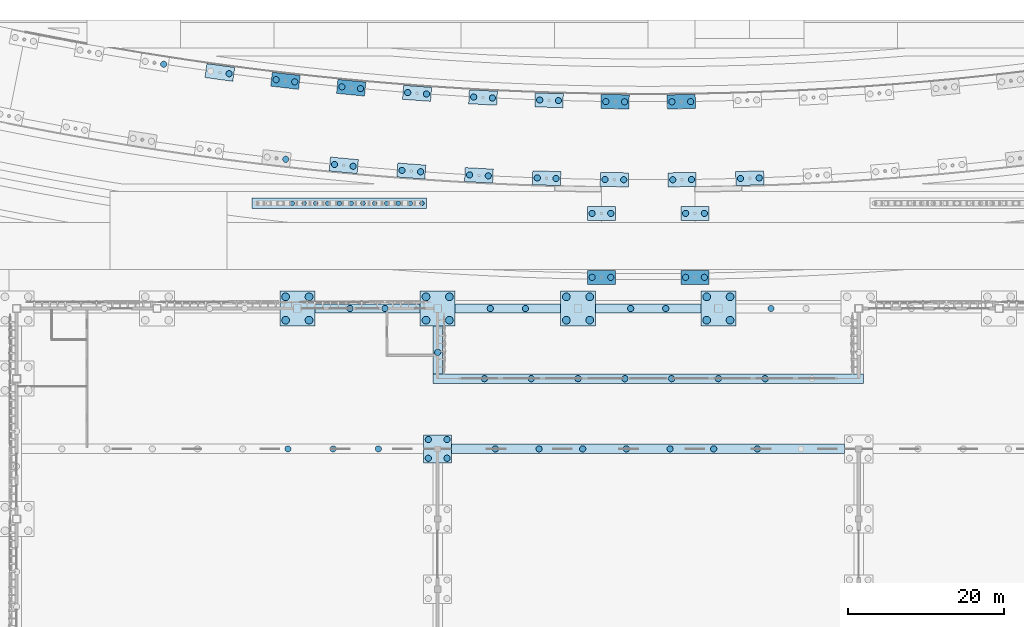
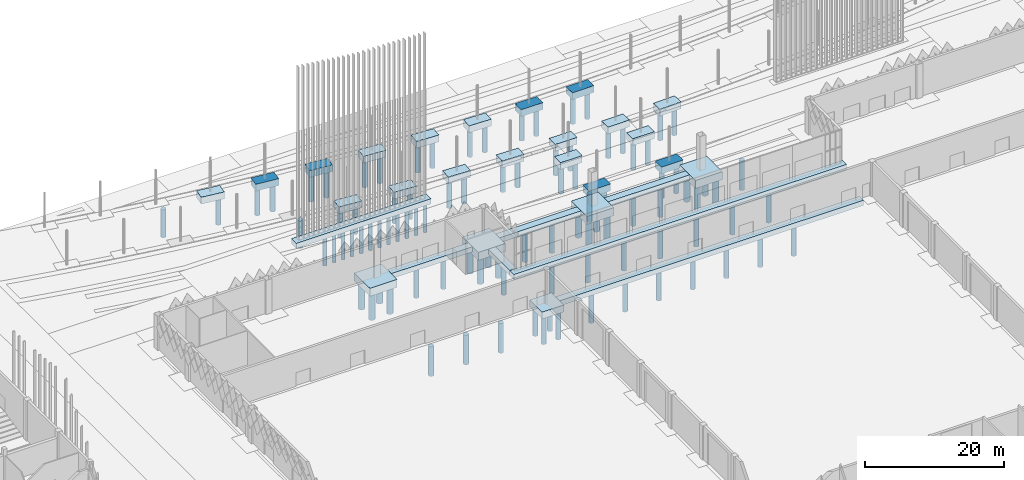
# One storey, part 11 of 198: 96 piles, 31 footings.
"""IFC4 building model written with IfcOpenShell, lengths in metres."""

import ifcopenshell
import ifcopenshell.guid

model = None  # the IFC model being written
_history = None  # IfcOwnerHistory: only IFC2X3 demands one
_inside = {}  # id of a spatial element -> (the spatial element, [elements in it])
_under = {}  # id of a project, library or spatial element -> (it, [spatial elements below it])
_declared = {}  # id of a project -> (the project, [libraries it declares])
_typed = {}  # id of a type object -> (the type object, [elements of that type])
_made_of = {}  # id of a material, layer set ... -> (it, [elements and type objects made of it])


def new_model(schema):
    """Start an empty IFC model of exactly this schema.

    Asked for "IFC4X3", IfcOpenShell would pick the latest addendum, in which some entities
    have other attributes; the version numbers below select the first issue.
    IFC2X3 requires an IfcOwnerHistory on every rooted entity: one is made here for all.
    """
    global model, _history
    if schema == "IFC4X3":
        model = ifcopenshell.file(schema_version=(4, 3, 0, 0))
    else:
        model = ifcopenshell.file(schema=schema)
    _inside.clear()
    _under.clear()
    _declared.clear()
    _typed.clear()
    _made_of.clear()
    _history = None
    if model.schema == "IFC2X3":
        org = make("IfcOrganization", Name="unknown")
        user = make(
            "IfcPersonAndOrganization",
            ThePerson=make("IfcPerson", FamilyName="unknown"),
            TheOrganization=org,
        )
        app = make(
            "IfcApplication",
            ApplicationDeveloper=org,
            Version="unknown",
            ApplicationFullName="unknown",
            ApplicationIdentifier="unknown",
        )
        _history = make(
            "IfcOwnerHistory",
            OwningUser=user,
            OwningApplication=app,
            ChangeAction="ADDED",
            CreationDate=0,
        )
    return model


def make(cls, **values):
    """One entity of the class cls with the attributes given. An attribute that is None is left unset."""
    return model.create_entity(
        cls, **{name: value for name, value in values.items() if value is not None}
    )


def rooted(cls, **values):
    """An entity with a GlobalId (a new one), such as an element, a storey or a relation."""
    return make(cls, GlobalId=ifcopenshell.guid.new(), OwnerHistory=_history, **values)


def si_unit(unit_type, name, prefix=None):
    """IfcSIUnit, for example si_unit("LENGTHUNIT", "METRE", prefix="MILLI")."""
    return make("IfcSIUnit", UnitType=unit_type, Prefix=prefix, Name=name)


def assignment(units):
    """IfcUnitAssignment: the units of a project."""
    return None if units is None else make("IfcUnitAssignment", Units=units)


def point(xyz):
    """IfcCartesianPoint."""
    return None if xyz is None else make("IfcCartesianPoint", Coordinates=xyz)


def direction(xyz):
    """IfcDirection."""
    return None if xyz is None else make("IfcDirection", DirectionRatios=xyz)


def frame(location, z_axis=None, x_axis=None):
    """IfcAxis2Placement3D, a coordinate frame: its origin and axes. An axis left out is left unset."""
    return make(
        "IfcAxis2Placement3D",
        Location=point(location),
        Axis=direction(z_axis),
        RefDirection=direction(x_axis),
    )


def frame_2d(location, x_axis=None):
    """IfcAxis2Placement2D, a coordinate frame in the plane: its origin and x axis."""
    return make(
        "IfcAxis2Placement2D", Location=point(location), RefDirection=direction(x_axis)
    )


def origin():
    """The frame at (0, 0, 0) with its axes left unset."""
    return frame((0.0, 0.0, 0.0))


def origin_2d():
    """The frame at (0, 0) in the plane with its x axis left unset."""
    return frame_2d((0.0, 0.0))


def place(relative_to, where):
    """IfcLocalPlacement: puts the frame where relative to a parent placement (None: the world)."""
    return make(
        "IfcLocalPlacement", PlacementRelTo=relative_to, RelativePlacement=where
    )


def context(
    kind, dimensions, precision=None, world=None, true_north=None, identifier=None
):
    """IfcGeometricRepresentationContext, for example the 3D "Model" context."""
    return make(
        "IfcGeometricRepresentationContext",
        ContextIdentifier=identifier,
        ContextType=kind,
        CoordinateSpaceDimension=dimensions,
        Precision=precision,
        WorldCoordinateSystem=world,
        TrueNorth=true_north,
    )


def subcontext(parent, identifier, kind, view, scale=None):
    """IfcGeometricRepresentationSubContext, for example "Body" below "Model"."""
    return make(
        "IfcGeometricRepresentationSubContext",
        ContextIdentifier=identifier,
        ContextType=kind,
        ParentContext=parent,
        TargetScale=scale,
        TargetView=view,
    )


def project(units=None, contexts=None):
    """IfcProject with its units and contexts."""
    return rooted(
        "IfcProject",
        Name="project",
        RepresentationContexts=contexts,
        UnitsInContext=assignment(units),
    )


def spatial(cls, under=None, at=None, **own):
    """A site, building, storey or space (cls), placed at a placement, below another one or the project."""
    s = rooted(cls, ObjectPlacement=at, **own)
    if under is not None:
        _under.setdefault(under.id(), (under, []))[1].append(s)
    return s


def polyline(points):
    """IfcPolyline through the points."""
    return make("IfcPolyline", Points=[point(p) for p in points])


def profile(cls, at=None, kind="AREA", **sizes):
    """A parametric profile (cls). Its sizes go by their IFC names, for example OverallWidth=200.0."""
    return make(cls, ProfileType=kind, Position=at, **sizes)


def circle(**sizes):
    """IfcCircleProfileDef."""
    return profile("IfcCircleProfileDef", **sizes)


def outline(outer, holes=None, kind="AREA"):
    """IfcArbitraryClosedProfileDef: a profile drawn as a closed curve; with holes, ...WithVoids."""
    if holes is None:
        return make("IfcArbitraryClosedProfileDef", ProfileType=kind, OuterCurve=outer)
    return make(
        "IfcArbitraryProfileDefWithVoids",
        ProfileType=kind,
        OuterCurve=outer,
        InnerCurves=holes,
    )


def extrude(swept, where, along, depth):
    """IfcExtrudedAreaSolid: the profile swept, set in the frame where, extruded along a direction by depth."""
    return make(
        "IfcExtrudedAreaSolid",
        SweptArea=swept,
        Position=where,
        ExtrudedDirection=direction(along),
        Depth=depth,
    )


def shape(context_of_items, identifier, shape_type, items):
    """IfcShapeRepresentation: the items that make up one representation, for example the "Body"."""
    return make(
        "IfcShapeRepresentation",
        ContextOfItems=context_of_items,
        RepresentationIdentifier=identifier,
        RepresentationType=shape_type,
        Items=items,
    )


def material(Name=None, Category=None):
    """IfcMaterial."""
    return make("IfcMaterial", Name=Name, Category=Category)


def layer(
    of_material, thickness, ventilated=None, Name=None, Category=None, Priority=None
):
    """IfcMaterialLayer: one layer of a wall or slab, of a material (None: an air gap)."""
    return make(
        "IfcMaterialLayer",
        Material=of_material,
        LayerThickness=thickness,
        IsVentilated=ventilated,
        Name=Name,
        Category=Category,
        Priority=Priority,
    )


def layer_set(layers, Name=None):
    """IfcMaterialLayerSet."""
    return make("IfcMaterialLayerSet", MaterialLayers=layers, LayerSetName=Name)


def material_profile(
    of_material, cross_section, Name=None, Category=None, Priority=None
):
    """IfcMaterialProfile: a cross section and its material."""
    return make(
        "IfcMaterialProfile",
        Name=Name,
        Material=of_material,
        Profile=cross_section,
        Priority=Priority,
        Category=Category,
    )


def profile_set(profiles, Name=None, composite=None):
    """IfcMaterialProfileSet."""
    return make(
        "IfcMaterialProfileSet",
        Name=Name,
        MaterialProfiles=profiles,
        CompositeProfile=composite,
    )


def made_of(thing, what):
    """Note that an element or type object is made of a material, layer set ...; save() writes the relation."""
    if what is not None:
        _made_of.setdefault(what.id(), (what, []))[1].append(thing)
    return thing


def type_object(cls, material=None, **own):
    """A type object (cls), such as IfcWallType, which elements share."""
    return made_of(rooted(cls, **own), material)


def element(
    cls,
    number,
    at=None,
    inside=None,
    cuts=None,
    type_object=None,
    material=None,
    context=None,
    identifier="Body",
    shape_type=None,
    held_by="IfcProductDefinitionShape",
    body=None,
    shapes=None,
    **own,
):
    """One element of the class cls, such as IfcWall. Its Tag is "e" and its number.

    at: its placement. inside: the storey or other place that contains it. cuts: it is an
    opening in that element (IfcRelVoidsElement). A single representation is given by context,
    identifier, shape_type and body (its items); several are given by shapes. held_by: the class
    of the entity that holds the representations. save() writes the other relations.
    """
    e = rooted(cls, Tag="e%d" % number, ObjectPlacement=at, **own)
    if body is not None:
        shapes = [shape(context, identifier, shape_type, body)]
    if shapes is not None:
        e.Representation = make(held_by, Representations=shapes)
    if inside is not None:
        _inside.setdefault(inside.id(), (inside, []))[1].append(e)
    if cuts is not None:
        rooted(
            "IfcRelVoidsElement", RelatingBuildingElement=cuts, RelatedOpeningElement=e
        )
    if type_object is not None:
        _typed.setdefault(type_object.id(), (type_object, []))[1].append(e)
    return made_of(e, material)


def aggregate(whole, parts):
    """IfcRelAggregates: a whole, such as a stair, and the parts it consists of."""
    return rooted("IfcRelAggregates", RelatingObject=whole, RelatedObjects=parts)


def save(model, path):
    """Write the relations noted so far, then the file.

    IfcRelAggregates (storeys below a building ...), IfcRelContainedInSpatialStructure (elements
    in a storey), IfcRelDefinesByType, IfcRelAssociatesMaterial and IfcRelDeclares: one each for
    every whole, place, type object, material and project.
    """
    for whole, parts in _under.values():
        aggregate(whole, parts)
    for where, things in _inside.values():
        rooted(
            "IfcRelContainedInSpatialStructure",
            RelatedElements=things,
            RelatingStructure=where,
        )
    for kind, things in _typed.values():
        rooted("IfcRelDefinesByType", RelatedObjects=things, RelatingType=kind)
    for what, things in _made_of.values():
        rooted("IfcRelAssociatesMaterial", RelatedObjects=things, RelatingMaterial=what)
    for by, libraries in _declared.values():
        rooted("IfcRelDeclares", RelatingContext=by, RelatedDefinitions=libraries)
    model.write(path)


model = new_model("IFC4")

# Units and contexts
model_context = context("Model", 3, precision=1e-05, world=origin(), true_north=direction((0.0, 1.0)))
body_context = subcontext(model_context, "Body", "Model", "MODEL_VIEW")
ifc_project = project(units=[si_unit("LENGTHUNIT", "METRE"), si_unit("AREAUNIT", "SQUARE_METRE"), si_unit("VOLUMEUNIT", "CUBIC_METRE"), si_unit("PLANEANGLEUNIT", "RADIAN"), si_unit("MASSUNIT", "GRAM", prefix="KILO")], contexts=[model_context])

# Site, building, storey
site_placement = place(None, origin())
site = spatial("IfcSite", under=ifc_project, at=site_placement, CompositionType="ELEMENT")
building_placement = place(site_placement, origin())
building = spatial("IfcBuilding", under=site, at=building_placement, Name="Opaline Strait Convention Centre", CompositionType="ELEMENT")
storey_placement = place(building_placement, origin())
storey = spatial("IfcBuildingStorey", under=building, at=storey_placement, Name="L00", CompositionType="ELEMENT", Elevation=0.0)

# Piles
ifc_material_1 = material(Name="Concrete C35", Category="concrete")
ifc_material_profile_1 = material_profile(ifc_material_1, circle(Radius=0.5, at=origin_2d()), Name="D1000")
ifc_profile_set_1 = profile_set([ifc_material_profile_1], Name="Concrete C35")
pile_type_1 = type_object("IfcPileType", Name="Bored pile D1000 C35", PredefinedType="BORED", material=ifc_profile_set_1)
for number, where, z_axis, x_axis, name in (
    (1, (133.5, 151.5, -1.300048828125), (0.0, 0.0, -1.0), (1.0, 0.0, 0.0), "Bored pile of cap 135/153"),
    (2, (133.5, 154.5, -1.300048828125), (0.0, 0.0, -1.0), (1.0, 0.0, 0.0), "Bored pile of cap 135/153"),
    (3, (136.5, 151.5, -1.300048828125), (0.0, 0.0, -1.0), (1.0, 0.0, 0.0), "Bored pile of cap 135/153"),
    (4, (136.5, 154.5, -1.300048828125), (0.0, 0.0, -1.0), (1.0, 0.0, 0.0), "Bored pile of cap 135/153"),
    (5, (151.5, 151.5, -1.300048828125), (0.0, 0.0, -1.0), (1.0, 0.0, 0.0), "Bored pile of cap 153/153"),
    (6, (151.5, 154.5, -1.300048828125), (0.0, 0.0, -1.0), (1.0, 0.0, 0.0), "Bored pile of cap 153/153"),
    (7, (154.5, 151.5, -1.300048828125), (0.0, 0.0, -1.0), (1.0, 0.0, 0.0), "Bored pile of cap 153/153"),
    (8, (154.5, 154.5, -1.300048828125), (0.0, 0.0, -1.0), (1.0, 0.0, 0.0), "Bored pile of cap 153/153"),
    (9, (169.5, 151.5, -1.300048828125), (0.0, 0.0, -1.0), (1.0, 0.0, 0.0), "Bored pile of cap 171/153"),
    (10, (169.5, 154.5, -1.300048828125), (0.0, 0.0, -1.0), (1.0, 0.0, 0.0), "Bored pile of cap 171/153"),
    (11, (172.5, 151.5, -1.300048828125), (0.0, 0.0, -1.0), (1.0, 0.0, 0.0), "Bored pile of cap 171/153"),
    (12, (172.5, 154.5, -1.300048828125), (0.0, 0.0, -1.0), (1.0, 0.0, 0.0), "Bored pile of cap 171/153"),
    (13, (187.5, 151.5, -1.300048828125), (0.0, 0.0, -1.0), (1.0, 0.0, 0.0), "Bored pile of cap 189/153"),
    (14, (187.5, 154.5, -1.300048828125), (0.0, 0.0, -1.0), (1.0, 0.0, 0.0), "Bored pile of cap 189/153"),
    (15, (190.5, 151.5, -1.300048828125), (0.0, 0.0, -1.0), (1.0, 0.0, 0.0), "Bored pile of cap 189/153"),
    (16, (190.5, 154.5, -1.300048828125), (0.0, 0.0, -1.0), (1.0, 0.0, 0.0), "Bored pile of cap 189/153"),
):
    element("IfcPile", number, at=place(storey_placement, frame(where, z_axis=z_axis, x_axis=x_axis)), inside=storey, type_object=pile_type_1, Name=name, PredefinedType="BORED", context=body_context, shape_type="SweptSolid", body=[
        extrude(circle(Radius=0.5, at=origin_2d()), origin(), (0.0, 0.0, 1.0), 4.699951171875),
    ])
ifc_material_profile_2 = material_profile(ifc_material_1, circle(Radius=0.300048828125, at=origin_2d()), Name="D600")
ifc_profile_set_2 = profile_set([ifc_material_profile_2], Name="Concrete C35")
pile_type_2 = type_object("IfcPileType", Name="Bored pile D600 L5.2 Concrete C35", PredefinedType="BORED", material=ifc_profile_set_2)
for number, where, z_axis, x_axis, name in (
    (17, (134.354248046875, 166.5, -0.800048828125), (0.0, 0.0, -1.0), (1.0, 0.0, 0.0), "Portal pile 4 of cap W"),
    (18, (135.86572265625, 166.5, -0.800048828125), (0.0, 0.0, -1.0), (1.0, 0.0, 0.0), "Portal pile 5 of cap W"),
    (19, (137.377197265625, 166.5, -0.800048828125), (0.0, 0.0, -1.0), (1.0, 0.0, 0.0), "Portal pile 6 of cap W"),
    (20, (138.888671875, 166.5, -0.800048828125), (0.0, 0.0, -1.0), (1.0, 0.0, 0.0), "Portal pile 7 of cap W"),
    (21, (140.39990234375, 166.5, -0.800048828125), (0.0, 0.0, -1.0), (1.0, 0.0, 0.0), "Portal pile 8 of cap W"),
    (22, (141.911376953125, 166.5, -0.800048828125), (0.0, 0.0, -1.0), (1.0, 0.0, 0.0), "Portal pile 9 of cap W"),
    (23, (143.4228515625, 166.5, -0.800048828125), (0.0, 0.0, -1.0), (1.0, 0.0, 0.0), "Portal pile 10 of cap W"),
    (24, (144.934326171875, 166.5, -0.800048828125), (0.0, 0.0, -1.0), (1.0, 0.0, 0.0), "Portal pile 11 of cap W"),
    (25, (146.44580078125, 166.5, -0.800048828125), (0.0, 0.0, -1.0), (1.0, 0.0, 0.0), "Portal pile 12 of cap W"),
    (26, (147.95703125, 166.5, -0.800048828125), (0.0, 0.0, -1.0), (1.0, 0.0, 0.0), "Portal pile 13 of cap W"),
    (27, (149.468505859375, 166.5, -0.800048828125), (0.0, 0.0, -1.0), (1.0, 0.0, 0.0), "Portal pile 14 of cap W"),
    (28, (150.97998046875, 166.5, -0.800048828125), (0.0, 0.0, -1.0), (1.0, 0.0, 0.0), "Portal pile 15 of cap W"),
):
    element("IfcPile", number, at=place(storey_placement, frame(where, z_axis=z_axis, x_axis=x_axis)), inside=storey, type_object=pile_type_2, Name=name, PredefinedType="BORED", context=body_context, shape_type="SweptSolid", body=[
        extrude(circle(Radius=0.300048828125, at=origin_2d()), origin(), (0.0, 0.0, 1.0), 5.199951171875),
    ])
ifc_material_profile_3 = material_profile(ifc_material_1, circle(Radius=0.39990234375, at=origin_2d()), Name="D800")
ifc_profile_set_3 = profile_set([ifc_material_profile_3], Name="Concrete C35")
pile_type_3 = type_object("IfcPileType", Name="Bored pile D800 C35", PredefinedType="BORED", material=ifc_profile_set_3)
for number, where, z_axis, x_axis, name in (
    (29, (151.800048828125, 133.800048828125, -1.10009765625), (0.0, 0.0, -1.0), (1.0, 0.0, 0.0), "Bored pile of cap 153/135"),
    (30, (151.800048828125, 136.199951171875, -1.10009765625), (0.0, 0.0, -1.0), (1.0, 0.0, 0.0), "Bored pile of cap 153/135"),
    (31, (154.199951171875, 133.800048828125, -1.10009765625), (0.0, 0.0, -1.0), (1.0, 0.0, 0.0), "Bored pile of cap 153/135"),
    (32, (154.199951171875, 136.199951171875, -1.10009765625), (0.0, 0.0, -1.0), (1.0, 0.0, 0.0), "Bored pile of cap 153/135"),
):
    element("IfcPile", number, at=place(storey_placement, frame(where, z_axis=z_axis, x_axis=x_axis)), inside=storey, type_object=pile_type_3, Name=name, PredefinedType="BORED", context=body_context, shape_type="SweptSolid", body=[
        extrude(circle(Radius=0.39990234375, at=origin_2d()), origin(), (0.0, 0.0, 1.0), 4.89990234375),
    ])
for number, where, z_axis, x_axis, name in (
    (33, (141.75, 153.0, -0.800048828125), (0.0, 0.0, -1.0), (1.0, 0.0, 0.0), "Bored pile under pile cap beam 18"),
    (34, (146.25, 153.0, -0.800048828125), (0.0, 0.0, -1.0), (1.0, 0.0, 0.0), "Bored pile under pile cap beam 18"),
    (35, (159.75, 153.0, -0.800048828125), (0.0, 0.0, -1.0), (1.0, 0.0, 0.0), "Bored pile under pile cap beam 19"),
    (36, (164.25, 153.0, -0.800048828125), (0.0, 0.0, -1.0), (1.0, 0.0, 0.0), "Bored pile under pile cap beam 19"),
    (37, (177.75, 153.0, -0.800048828125), (0.0, 0.0, -1.0), (1.0, 0.0, 0.0), "Bored pile under pile cap beam 20"),
    (38, (182.25, 153.0, -0.800048828125), (0.0, 0.0, -1.0), (1.0, 0.0, 0.0), "Bored pile under pile cap beam 20"),
    (39, (195.75, 153.0, -0.800048828125), (0.0, 0.0, -1.0), (1.0, 0.0, 0.0), "Bored pile under pile cap beam 21"),
    (40, (133.800048828125, 135.0, -0.800048828125), (0.0, 0.0, -1.0), (1.0, 0.0, 0.0), "Bored pile under pile cap beam 65"),
    (41, (139.60009765625, 135.0, -0.800048828125), (0.0, 0.0, -1.0), (1.0, 0.0, 0.0), "Bored pile under pile cap beam 65"),
    (42, (145.39990234375, 135.0, -0.800048828125), (0.0, 0.0, -1.0), (1.0, 0.0, 0.0), "Bored pile under pile cap beam 65"),
    (43, (160.39990234375, 135.0, -0.800048828125), (0.0, 0.0, -1.0), (1.0, 0.0, 0.0), "Bored pile under pile cap beam 66"),
    (44, (166.0, 135.0, -0.800048828125), (0.0, 0.0, -1.0), (1.0, 0.0, 0.0), "Bored pile under pile cap beam 66"),
    (45, (171.60009765625, 135.0, -0.800048828125), (0.0, 0.0, -1.0), (1.0, 0.0, 0.0), "Bored pile under pile cap beam 66"),
    (46, (177.199951171875, 135.0, -0.800048828125), (0.0, 0.0, -1.0), (1.0, 0.0, 0.0), "Bored pile under pile cap beam 66"),
    (47, (182.800048828125, 135.0, -0.800048828125), (0.0, 0.0, -1.0), (1.0, 0.0, 0.0), "Bored pile under pile cap beam 66"),
    (48, (188.39990234375, 135.0, -0.800048828125), (0.0, 0.0, -1.0), (1.0, 0.0, 0.0), "Bored pile under pile cap beam 66"),
    (49, (194.0, 135.0, -0.800048828125), (0.0, 0.0, -1.0), (1.0, 0.0, 0.0), "Bored pile under pile cap beam 66"),
    (50, (159.0, 144.0, -0.800048828125), (0.0, 0.0, -1.0), (1.0, 0.0, 0.0), "Bored pile under pile cap beam 68"),
    (51, (165.0, 144.0, -0.800048828125), (0.0, 0.0, -1.0), (1.0, 0.0, 0.0), "Bored pile under pile cap beam 68"),
    (52, (171.0, 144.0, -0.800048828125), (0.0, 0.0, -1.0), (1.0, 0.0, 0.0), "Bored pile under pile cap beam 68"),
    (53, (177.0, 144.0, -0.800048828125), (0.0, 0.0, -1.0), (1.0, 0.0, 0.0), "Bored pile under pile cap beam 68"),
    (54, (183.0, 144.0, -0.800048828125), (0.0, 0.0, -1.0), (1.0, 0.0, 0.0), "Bored pile under pile cap beam 68"),
    (55, (189.0, 144.0, -0.800048828125), (0.0, 0.0, -1.0), (1.0, 0.0, 0.0), "Bored pile under pile cap beam 68"),
    (56, (195.0, 144.0, -0.800048828125), (0.0, 0.0, -1.0), (1.0, 0.0, 0.0), "Bored pile under pile cap beam 68"),
    (57, (153.0, 147.375, -0.800048828125), (0.0, 0.0, -1.0), (1.0, 0.0, 0.0), "Bored pile under pile cap beam 69"),
):
    element("IfcPile", number, at=place(storey_placement, frame(where, z_axis=z_axis, x_axis=x_axis)), inside=storey, type_object=pile_type_3, Name=name, PredefinedType="BORED", context=body_context, shape_type="SweptSolid", body=[
        extrude(circle(Radius=0.39990234375, at=origin_2d()), origin(), (0.0, 0.0, 1.0), 5.199951171875),
    ])
ifc_material_profile_4 = material_profile(ifc_material_1, circle(Radius=0.39990234375, at=origin_2d()), Name="D800")
ifc_profile_set_4 = profile_set([ifc_material_profile_4], Name="Concrete C35")
pile_type_4 = type_object("IfcPileType", Name="Bored pile D800 L4.9 C35", PredefinedType="BORED", material=ifc_profile_set_4)
for number, where, z_axis, x_axis, name in (
    (58, (133.514892578125, 172.133544921875, -1.10009765625), (0.0, 0.0, -1.0), (1.0, 0.0, 0.0), "Bored pile of arcade cap SC-I05"),
    (59, (139.766845703125, 171.472412109375, -1.10009765625), (0.0, 0.0, -1.0), (1.0, 0.0, 0.0), "Bored pile of arcade cap SC-I06"),
    (60, (142.156005859375, 171.244873046875, -1.10009765625), (0.0, 0.0, -1.0), (1.0, 0.0, 0.0), "Bored pile of arcade cap SC-I06"),
    (61, (148.42138671875, 170.71435546875, -1.10009765625), (0.0, 0.0, -1.0), (1.0, 0.0, 0.0), "Bored pile of arcade cap SC-I07"),
    (62, (150.814697265625, 170.537109375, -1.10009765625), (0.0, 0.0, -1.0), (1.0, 0.0, 0.0), "Bored pile of arcade cap SC-I07"),
    (63, (157.09033203125, 170.138427734375, -1.10009765625), (0.0, 0.0, -1.0), (1.0, 0.0, 0.0), "Bored pile of arcade cap SC-I08"),
    (64, (159.48681640625, 170.011474609375, -1.10009765625), (0.0, 0.0, -1.0), (1.0, 0.0, 0.0), "Bored pile of arcade cap SC-I08"),
    (65, (165.769775390625, 169.7451171875, -1.10009765625), (0.0, 0.0, -1.0), (1.0, 0.0, 0.0), "Bored pile of arcade cap SC-I09"),
    (66, (168.16845703125, 169.6689453125, -1.10009765625), (0.0, 0.0, -1.0), (1.0, 0.0, 0.0), "Bored pile of arcade cap SC-I09"),
    (67, (174.455810546875, 169.53564453125, -1.10009765625), (0.0, 0.0, -1.0), (1.0, 0.0, 0.0), "Bored pile of arcade cap SC-I10"),
    (68, (176.855712890625, 169.51025390625, -1.10009765625), (0.0, 0.0, -1.0), (1.0, 0.0, 0.0), "Bored pile of arcade cap SC-I10"),
    (69, (183.144287109375, 169.51025390625, -1.10009765625), (0.0, 0.0, -1.0), (1.0, 0.0, 0.0), "Bored pile of arcade cap SC-I11"),
    (70, (185.544189453125, 169.53564453125, -1.10009765625), (0.0, 0.0, -1.0), (1.0, 0.0, 0.0), "Bored pile of arcade cap SC-I11"),
    (71, (191.83154296875, 169.6689453125, -1.10009765625), (0.0, 0.0, -1.0), (1.0, 0.0, 0.0), "Bored pile of arcade cap SC-I12"),
    (72, (194.230224609375, 169.7451171875, -1.10009765625), (0.0, 0.0, -1.0), (1.0, 0.0, 0.0), "Bored pile of arcade cap SC-I12"),
    (73, (117.8623046875, 184.32421875, -1.10009765625), (0.0, 0.0, -1.0), (1.0, 0.0, 0.0), "Bored pile of arcade cap SC-O03"),
    (74, (126.2548828125, 183.108642578125, -1.10009765625), (0.0, 0.0, -1.0), (1.0, 0.0, 0.0), "Bored pile of arcade cap SC-O04"),
    (75, (132.285888671875, 182.34375, -1.10009765625), (0.0, 0.0, -1.0), (1.0, 0.0, 0.0), "Bored pile of arcade cap SC-O05"),
    (76, (134.669921875, 182.066650390625, -1.10009765625), (0.0, 0.0, -1.0), (1.0, 0.0, 0.0), "Bored pile of arcade cap SC-O05"),
    (77, (140.71484375, 181.427490234375, -1.10009765625), (0.0, 0.0, -1.0), (1.0, 0.0, 0.0), "Bored pile of arcade cap SC-O06"),
    (78, (143.10400390625, 181.19970703125, -1.10009765625), (0.0, 0.0, -1.0), (1.0, 0.0, 0.0), "Bored pile of arcade cap SC-O06"),
    (79, (149.160400390625, 180.68701171875, -1.10009765625), (0.0, 0.0, -1.0), (1.0, 0.0, 0.0), "Bored pile of arcade cap SC-O07"),
    (80, (151.5537109375, 180.509521484375, -1.10009765625), (0.0, 0.0, -1.0), (1.0, 0.0, 0.0), "Bored pile of arcade cap SC-O07"),
    (81, (157.619140625, 180.12451171875, -1.10009765625), (0.0, 0.0, -1.0), (1.0, 0.0, 0.0), "Bored pile of arcade cap SC-O08"),
    (82, (160.015625, 179.997314453125, -1.10009765625), (0.0, 0.0, -1.0), (1.0, 0.0, 0.0), "Bored pile of arcade cap SC-O08"),
    (83, (166.08740234375, 179.740234375, -1.10009765625), (0.0, 0.0, -1.0), (1.0, 0.0, 0.0), "Bored pile of arcade cap SC-O09"),
    (84, (168.486083984375, 179.6640625, -1.10009765625), (0.0, 0.0, -1.0), (1.0, 0.0, 0.0), "Bored pile of arcade cap SC-O09"),
    (85, (174.561767578125, 179.53515625, -1.10009765625), (0.0, 0.0, -1.0), (1.0, 0.0, 0.0), "Bored pile of arcade cap SC-O10"),
    (86, (176.961669921875, 179.509765625, -1.10009765625), (0.0, 0.0, -1.0), (1.0, 0.0, 0.0), "Bored pile of arcade cap SC-O10"),
    (87, (183.038330078125, 179.509765625, -1.10009765625), (0.0, 0.0, -1.0), (1.0, 0.0, 0.0), "Bored pile of arcade cap SC-O11"),
    (88, (185.438232421875, 179.53515625, -1.10009765625), (0.0, 0.0, -1.0), (1.0, 0.0, 0.0), "Bored pile of arcade cap SC-O11"),
    (89, (172.800048828125, 157.0, -1.10009765625), (0.0, 0.0, -1.0), (1.0, 0.0, 0.0), "Bored pile of arcade walk cap SC-WW1"),
    (90, (175.199951171875, 157.0, -1.10009765625), (0.0, 0.0, -1.0), (1.0, 0.0, 0.0), "Bored pile of arcade walk cap SC-WW1"),
    (91, (172.800048828125, 165.199951171875, -1.10009765625), (0.0, 0.0, -1.0), (1.0, 0.0, 0.0), "Bored pile of arcade walk cap SC-WW2"),
    (92, (175.199951171875, 165.199951171875, -1.10009765625), (0.0, 0.0, -1.0), (1.0, 0.0, 0.0), "Bored pile of arcade walk cap SC-WW2"),
    (93, (184.800048828125, 157.0, -1.10009765625), (0.0, 0.0, -1.0), (1.0, 0.0, 0.0), "Bored pile of arcade walk cap SC-WE1"),
    (94, (187.199951171875, 157.0, -1.10009765625), (0.0, 0.0, -1.0), (1.0, 0.0, 0.0), "Bored pile of arcade walk cap SC-WE1"),
    (95, (184.800048828125, 165.199951171875, -1.10009765625), (0.0, 0.0, -1.0), (1.0, 0.0, 0.0), "Bored pile of arcade walk cap SC-WE2"),
    (96, (187.199951171875, 165.199951171875, -1.10009765625), (0.0, 0.0, -1.0), (1.0, 0.0, 0.0), "Bored pile of arcade walk cap SC-WE2"),
):
    element("IfcPile", number, at=place(storey_placement, frame(where, z_axis=z_axis, x_axis=x_axis)), inside=storey, type_object=pile_type_4, Name=name, PredefinedType="BORED", context=body_context, shape_type="SweptSolid", body=[
        extrude(circle(Radius=0.39990234375, at=origin_2d()), origin(), (0.0, 0.0, 1.0), 4.89990234375),
    ])

# Footings
ifc_layer_1 = layer(ifc_material_1, 0.89990234375)
ifc_layer_set_1 = layer_set([ifc_layer_1], Name="Concrete C35")
footing_type_1 = type_object("IfcFootingType", Name="Pile cap 15 piles 900 Concrete C35", PredefinedType="PILE_CAP", material=ifc_layer_set_1)
footing_1_placement = place(storey_placement, frame((0.0, 0.0, -0.89990234375)))
element("IfcFooting", 97, at=footing_1_placement, inside=storey, type_object=footing_type_1, Name="Portal pile cap W", PredefinedType="PILE_CAP", context=body_context, shape_type="SweptSolid", body=[
    extrude(outline(polyline([(129.219970703125, 165.800048828125), (151.580078125, 165.800048828125), (151.580078125, 167.199951171875), (129.219970703125, 167.199951171875), (129.219970703125, 165.800048828125)])), origin(), (0.0, 0.0, 1.0), 0.89990234375),
])
ifc_material_2 = material(Name="Concrete C40", Category="concrete")
ifc_layer_2 = layer(ifc_material_2, 1.199951171875)
ifc_layer_set_2 = layer_set([ifc_layer_2], Name="Concrete C40")
footing_type_2 = type_object("IfcFootingType", Name="Pile cap 3600 x 1800 x 1200 C40", PredefinedType="PILE_CAP", material=ifc_layer_set_2)
footing_2_placement = place(storey_placement, frame((0.0, 0.0, -1.199951171875)))
element("IfcFooting", 98, at=footing_2_placement, inside=storey, type_object=footing_type_2, Name="Arcade pile cap at SC-I06", PredefinedType="PILE_CAP", context=body_context, shape_type="SweptSolid", body=[
    extrude(outline(polyline([(139.084228515625, 170.63330078125), (142.668212890625, 170.2919921875), (142.838623046875, 172.083984375), (139.2548828125, 172.42529296875), (139.084228515625, 170.63330078125)])), origin(), (0.0, 0.0, 1.0), 1.199951171875),
])
footing_3_placement = place(storey_placement, frame((0.0, 0.0, -1.199951171875)))
element("IfcFooting", 99, at=footing_3_placement, inside=storey, type_object=footing_type_2, Name="Arcade pile cap at SC-I07", PredefinedType="PILE_CAP", context=body_context, shape_type="SweptSolid", body=[
    extrude(outline(polyline([(147.756591796875, 169.861083984375), (151.3466796875, 169.59521484375), (151.479736328125, 171.39013671875), (147.889404296875, 171.65625), (147.756591796875, 169.861083984375)])), origin(), (0.0, 0.0, 1.0), 1.199951171875),
])
footing_4_placement = place(storey_placement, frame((0.0, 0.0, -1.199951171875)))
element("IfcFooting", 100, at=footing_4_placement, inside=storey, type_object=footing_type_2, Name="Arcade pile cap at SC-I08", PredefinedType="PILE_CAP", context=body_context, shape_type="SweptSolid", body=[
    extrude(outline(polyline([(156.443603515625, 169.271240234375), (160.03857421875, 169.0810546875), (160.1337890625, 170.87841796875), (156.538818359375, 171.06884765625), (156.443603515625, 169.271240234375)])), origin(), (0.0, 0.0, 1.0), 1.199951171875),
])
footing_5_placement = place(storey_placement, frame((0.0, 0.0, -1.199951171875)))
element("IfcFooting", 101, at=footing_5_placement, inside=storey, type_object=footing_type_2, Name="Arcade pile cap at SC-I09", PredefinedType="PILE_CAP", context=body_context, shape_type="SweptSolid", body=[
    extrude(outline(polyline([(165.141357421875, 168.86474609375), (168.739501953125, 168.75048828125), (168.796875, 170.549560546875), (165.198486328125, 170.663818359375), (165.141357421875, 168.86474609375)])), origin(), (0.0, 0.0, 1.0), 1.199951171875),
])
footing_6_placement = place(storey_placement, frame((0.0, 0.0, -1.199951171875)))
element("IfcFooting", 102, at=footing_6_placement, inside=storey, type_object=footing_type_2, Name="Arcade pile cap at SC-I10", PredefinedType="PILE_CAP", context=body_context, shape_type="SweptSolid", body=[
    extrude(outline(polyline([(173.84619140625, 168.64208984375), (177.446044921875, 168.60400390625), (177.465087890625, 170.40380859375), (173.865234375, 170.44189453125), (173.84619140625, 168.64208984375)])), origin(), (0.0, 0.0, 1.0), 1.199951171875),
])
footing_7_placement = place(storey_placement, frame((0.0, 0.0, -1.199951171875)))
element("IfcFooting", 103, at=footing_7_placement, inside=storey, type_object=footing_type_2, Name="Arcade pile cap at SC-I11", PredefinedType="PILE_CAP", context=body_context, shape_type="SweptSolid", body=[
    extrude(outline(polyline([(182.553955078125, 168.60400390625), (186.15380859375, 168.64208984375), (186.134765625, 170.44189453125), (182.534912109375, 170.40380859375), (182.553955078125, 168.60400390625)])), origin(), (0.0, 0.0, 1.0), 1.199951171875),
])
footing_8_placement = place(storey_placement, frame((0.0, 0.0, -1.199951171875)))
element("IfcFooting", 104, at=footing_8_placement, inside=storey, type_object=footing_type_2, Name="Arcade pile cap at SC-I12", PredefinedType="PILE_CAP", context=body_context, shape_type="SweptSolid", body=[
    extrude(outline(polyline([(191.260498046875, 168.75048828125), (194.858642578125, 168.86474609375), (194.801513671875, 170.663818359375), (191.203125, 170.549560546875), (191.260498046875, 168.75048828125)])), origin(), (0.0, 0.0, 1.0), 1.199951171875),
])
footing_9_placement = place(storey_placement, frame((0.0, 0.0, -1.199951171875)))
element("IfcFooting", 105, at=footing_9_placement, inside=storey, type_object=footing_type_2, Name="Arcade pile cap at SC-O04", PredefinedType="PILE_CAP", context=body_context, shape_type="SweptSolid", body=[
    extrude(outline(polyline([(123.160400390625, 182.625), (126.726806640625, 182.135498046875), (126.9716796875, 183.918701171875), (123.4052734375, 184.408447265625), (123.160400390625, 182.625)])), origin(), (0.0, 0.0, 1.0), 1.199951171875),
])
footing_10_placement = place(storey_placement, frame((0.0, 0.0, -1.199951171875)))
element("IfcFooting", 106, at=footing_10_placement, inside=storey, type_object=footing_type_2, Name="Arcade pile cap at SC-O05", PredefinedType="PILE_CAP", context=body_context, shape_type="SweptSolid", body=[
    extrude(outline(polyline([(131.586181640625, 181.519287109375), (135.162109375, 181.103271484375), (135.369873046875, 182.89111328125), (131.7939453125, 183.30712890625), (131.586181640625, 181.519287109375)])), origin(), (0.0, 0.0, 1.0), 1.199951171875),
])
footing_11_placement = place(storey_placement, frame((0.0, 0.0, -1.199951171875)))
element("IfcFooting", 107, at=footing_11_placement, inside=storey, type_object=footing_type_2, Name="Arcade pile cap at SC-O06", PredefinedType="PILE_CAP", context=body_context, shape_type="SweptSolid", body=[
    extrude(outline(polyline([(140.0322265625, 180.58837890625), (143.6162109375, 180.2470703125), (143.78662109375, 182.038818359375), (140.202880859375, 182.380126953125), (140.0322265625, 180.58837890625)])), origin(), (0.0, 0.0, 1.0), 1.199951171875),
])
footing_12_placement = place(storey_placement, frame((0.0, 0.0, -1.199951171875)))
element("IfcFooting", 108, at=footing_12_placement, inside=storey, type_object=footing_type_2, Name="Arcade pile cap at SC-O07", PredefinedType="PILE_CAP", context=body_context, shape_type="SweptSolid", body=[
    extrude(outline(polyline([(148.49560546875, 179.833740234375), (152.085693359375, 179.567626953125), (152.21875, 181.36279296875), (148.62841796875, 181.62890625), (148.49560546875, 179.833740234375)])), origin(), (0.0, 0.0, 1.0), 1.199951171875),
])
footing_13_placement = place(storey_placement, frame((0.0, 0.0, -1.199951171875)))
element("IfcFooting", 109, at=footing_13_placement, inside=storey, type_object=footing_type_2, Name="Arcade pile cap at SC-O08", PredefinedType="PILE_CAP", context=body_context, shape_type="SweptSolid", body=[
    extrude(outline(polyline([(156.972412109375, 179.25732421875), (160.5673828125, 179.06689453125), (160.66259765625, 180.864501953125), (157.0673828125, 181.0546875), (156.972412109375, 179.25732421875)])), origin(), (0.0, 0.0, 1.0), 1.199951171875),
])
footing_14_placement = place(storey_placement, frame((0.0, 0.0, -1.199951171875)))
element("IfcFooting", 110, at=footing_14_placement, inside=storey, type_object=footing_type_2, Name="Arcade pile cap at SC-O09", PredefinedType="PILE_CAP", context=body_context, shape_type="SweptSolid", body=[
    extrude(outline(polyline([(165.458984375, 178.859619140625), (169.05712890625, 178.745361328125), (169.114501953125, 180.54443359375), (165.51611328125, 180.65869140625), (165.458984375, 178.859619140625)])), origin(), (0.0, 0.0, 1.0), 1.199951171875),
])
footing_15_placement = place(storey_placement, frame((0.0, 0.0, -1.199951171875)))
element("IfcFooting", 111, at=footing_15_placement, inside=storey, type_object=footing_type_2, Name="Arcade pile cap at SC-O10", PredefinedType="PILE_CAP", context=body_context, shape_type="SweptSolid", body=[
    extrude(outline(polyline([(173.952392578125, 178.6416015625), (177.552001953125, 178.603515625), (177.571044921875, 180.4033203125), (173.97119140625, 180.44140625), (173.952392578125, 178.6416015625)])), origin(), (0.0, 0.0, 1.0), 1.199951171875),
])
footing_16_placement = place(storey_placement, frame((0.0, 0.0, -1.199951171875)))
element("IfcFooting", 112, at=footing_16_placement, inside=storey, type_object=footing_type_2, Name="Arcade pile cap at SC-O11", PredefinedType="PILE_CAP", context=body_context, shape_type="SweptSolid", body=[
    extrude(outline(polyline([(182.447998046875, 178.603515625), (186.047607421875, 178.6416015625), (186.02880859375, 180.44140625), (182.428955078125, 180.4033203125), (182.447998046875, 178.603515625)])), origin(), (0.0, 0.0, 1.0), 1.199951171875),
])
footing_17_placement = place(storey_placement, frame((0.0, 0.0, -1.199951171875)))
element("IfcFooting", 113, at=footing_17_placement, inside=storey, type_object=footing_type_2, Name="Arcade walk pile cap at SC-WW1", PredefinedType="PILE_CAP", context=body_context, shape_type="SweptSolid", body=[
    extrude(outline(polyline([(172.199951171875, 156.10009765625), (175.800048828125, 156.10009765625), (175.800048828125, 157.89990234375), (172.199951171875, 157.89990234375), (172.199951171875, 156.10009765625)])), origin(), (0.0, 0.0, 1.0), 1.199951171875),
])
footing_18_placement = place(storey_placement, frame((0.0, 0.0, -1.199951171875)))
element("IfcFooting", 114, at=footing_18_placement, inside=storey, type_object=footing_type_2, Name="Arcade walk pile cap at SC-WW2", PredefinedType="PILE_CAP", context=body_context, shape_type="SweptSolid", body=[
    extrude(outline(polyline([(172.199951171875, 164.300048828125), (175.800048828125, 164.300048828125), (175.800048828125, 166.10009765625), (172.199951171875, 166.10009765625), (172.199951171875, 164.300048828125)])), origin(), (0.0, 0.0, 1.0), 1.199951171875),
])
footing_19_placement = place(storey_placement, frame((0.0, 0.0, -1.199951171875)))
element("IfcFooting", 115, at=footing_19_placement, inside=storey, type_object=footing_type_2, Name="Arcade walk pile cap at SC-WE1", PredefinedType="PILE_CAP", context=body_context, shape_type="SweptSolid", body=[
    extrude(outline(polyline([(184.199951171875, 156.10009765625), (187.800048828125, 156.10009765625), (187.800048828125, 157.89990234375), (184.199951171875, 157.89990234375), (184.199951171875, 156.10009765625)])), origin(), (0.0, 0.0, 1.0), 1.199951171875),
])
footing_20_placement = place(storey_placement, frame((0.0, 0.0, -1.199951171875)))
element("IfcFooting", 116, at=footing_20_placement, inside=storey, type_object=footing_type_2, Name="Arcade walk pile cap at SC-WE2", PredefinedType="PILE_CAP", context=body_context, shape_type="SweptSolid", body=[
    extrude(outline(polyline([(184.199951171875, 164.300048828125), (187.800048828125, 164.300048828125), (187.800048828125, 166.10009765625), (184.199951171875, 166.10009765625), (184.199951171875, 164.300048828125)])), origin(), (0.0, 0.0, 1.0), 1.199951171875),
])
ifc_layer_3 = layer(ifc_material_2, 1.199951171875)
ifc_layer_set_3 = layer_set([ifc_layer_3], Name="Concrete C40")
footing_type_3 = type_object("IfcFootingType", Name="Pile cap 3600 x 3600 x 1200 C40", PredefinedType="PILE_CAP", material=ifc_layer_set_3)
footing_21_placement = place(storey_placement, frame((0.0, 0.0, -1.199951171875)))
element("IfcFooting", 117, at=footing_21_placement, inside=storey, type_object=footing_type_3, Name="Column pile cap at 153/135", PredefinedType="PILE_CAP", context=body_context, shape_type="SweptSolid", body=[
    extrude(outline(polyline([(151.199951171875, 133.199951171875), (154.800048828125, 133.199951171875), (154.800048828125, 136.800048828125), (151.199951171875, 136.800048828125), (151.199951171875, 133.199951171875)])), origin(), (0.0, 0.0, 1.0), 1.199951171875),
])
ifc_layer_4 = layer(ifc_material_2, 1.39990234375)
ifc_layer_set_4 = layer_set([ifc_layer_4], Name="Concrete C40")
footing_type_4 = type_object("IfcFootingType", Name="Pile cap 4500 x 4500 x 1400 C40", PredefinedType="PILE_CAP", material=ifc_layer_set_4)
footing_22_placement = place(storey_placement, frame((0.0, 0.0, -1.39990234375)))
element("IfcFooting", 118, at=footing_22_placement, inside=storey, type_object=footing_type_4, Name="Roof column pile cap at 135/153", PredefinedType="PILE_CAP", context=body_context, shape_type="SweptSolid", body=[
    extrude(outline(polyline([(132.75, 150.75), (137.25, 150.75), (137.25, 155.25), (132.75, 155.25), (132.75, 150.75)])), origin(), (0.0, 0.0, 1.0), 1.39990234375),
])
footing_23_placement = place(storey_placement, frame((0.0, 0.0, -1.39990234375)))
element("IfcFooting", 119, at=footing_23_placement, inside=storey, type_object=footing_type_4, Name="Roof column pile cap at 153/153", PredefinedType="PILE_CAP", context=body_context, shape_type="SweptSolid", body=[
    extrude(outline(polyline([(150.75, 150.75), (155.25, 150.75), (155.25, 155.25), (150.75, 155.25), (150.75, 150.75)])), origin(), (0.0, 0.0, 1.0), 1.39990234375),
])
footing_24_placement = place(storey_placement, frame((0.0, 0.0, -1.39990234375)))
element("IfcFooting", 120, at=footing_24_placement, inside=storey, type_object=footing_type_4, Name="Roof column pile cap at 171/153", PredefinedType="PILE_CAP", context=body_context, shape_type="SweptSolid", body=[
    extrude(outline(polyline([(168.75, 150.75), (173.25, 150.75), (173.25, 155.25), (168.75, 155.25), (168.75, 150.75)])), origin(), (0.0, 0.0, 1.0), 1.39990234375),
])
footing_25_placement = place(storey_placement, frame((0.0, 0.0, -1.39990234375)))
element("IfcFooting", 121, at=footing_25_placement, inside=storey, type_object=footing_type_4, Name="Roof column pile cap at 189/153", PredefinedType="PILE_CAP", context=body_context, shape_type="SweptSolid", body=[
    extrude(outline(polyline([(186.75, 150.75), (191.25, 150.75), (191.25, 155.25), (186.75, 155.25), (186.75, 150.75)])), origin(), (0.0, 0.0, 1.0), 1.39990234375),
])
footing_type_5 = type_object("IfcFootingType", Name="Pile cap beam 1200 x 900 C40", PredefinedType="PILE_CAP", material=ifc_material_2)
footing_26_placement = place(storey_placement, frame((0.0, 0.0, -0.89990234375)))
element("IfcFooting", 122, at=footing_26_placement, inside=storey, type_object=footing_type_5, Name="Pile cap beam 18 on the y = 153 line", PredefinedType="PILE_CAP", context=body_context, shape_type="SweptSolid", body=[
    extrude(outline(polyline([(137.25, 152.39990234375), (150.75, 152.39990234375), (150.75, 153.60009765625), (137.25, 153.60009765625), (137.25, 152.39990234375)])), origin(), (0.0, 0.0, 1.0), 0.89990234375),
])
footing_27_placement = place(storey_placement, frame((0.0, 0.0, -0.89990234375)))
element("IfcFooting", 123, at=footing_27_placement, inside=storey, type_object=footing_type_5, Name="Pile cap beam 19 on the y = 153 line", PredefinedType="PILE_CAP", context=body_context, shape_type="SweptSolid", body=[
    extrude(outline(polyline([(155.25, 152.39990234375), (168.75, 152.39990234375), (168.75, 153.60009765625), (155.25, 153.60009765625), (155.25, 152.39990234375)])), origin(), (0.0, 0.0, 1.0), 0.89990234375),
])
footing_28_placement = place(storey_placement, frame((0.0, 0.0, -0.89990234375)))
element("IfcFooting", 124, at=footing_28_placement, inside=storey, type_object=footing_type_5, Name="Pile cap beam 20 on the y = 153 line", PredefinedType="PILE_CAP", context=body_context, shape_type="SweptSolid", body=[
    extrude(outline(polyline([(173.25, 152.39990234375), (186.75, 152.39990234375), (186.75, 153.60009765625), (173.25, 153.60009765625), (173.25, 152.39990234375)])), origin(), (0.0, 0.0, 1.0), 0.89990234375),
])
footing_29_placement = place(storey_placement, frame((0.0, 0.0, -0.89990234375)))
element("IfcFooting", 125, at=footing_29_placement, inside=storey, type_object=footing_type_5, Name="Pile cap beam 66 on the y = 135 line", PredefinedType="PILE_CAP", context=body_context, shape_type="SweptSolid", body=[
    extrude(outline(polyline([(154.800048828125, 134.39990234375), (205.199951171875, 134.39990234375), (205.199951171875, 135.60009765625), (154.800048828125, 135.60009765625), (154.800048828125, 134.39990234375)])), origin(), (0.0, 0.0, 1.0), 0.89990234375),
])
footing_30_placement = place(storey_placement, frame((0.0, 0.0, -0.89990234375)))
element("IfcFooting", 126, at=footing_30_placement, inside=storey, type_object=footing_type_5, Name="Pile cap beam 68 on the y = 144 line", PredefinedType="PILE_CAP", context=body_context, shape_type="SweptSolid", body=[
    extrude(outline(polyline([(152.39990234375, 143.39990234375), (207.60009765625, 143.39990234375), (207.60009765625, 144.60009765625), (152.39990234375, 144.60009765625), (152.39990234375, 143.39990234375)])), origin(), (0.0, 0.0, 1.0), 0.89990234375),
])
footing_31_placement = place(storey_placement, frame((0.0, 0.0, -0.89990234375)))
element("IfcFooting", 127, at=footing_31_placement, inside=storey, type_object=footing_type_5, Name="Pile cap beam 69 on the x = 153 line", PredefinedType="PILE_CAP", context=body_context, shape_type="SweptSolid", body=[
    extrude(outline(polyline([(152.39990234375, 144.60009765625), (153.60009765625, 144.60009765625), (153.60009765625, 150.75), (152.39990234375, 150.75), (152.39990234375, 144.60009765625)])), origin(), (0.0, 0.0, 1.0), 0.89990234375),
])

save(model, "model.ifc")
